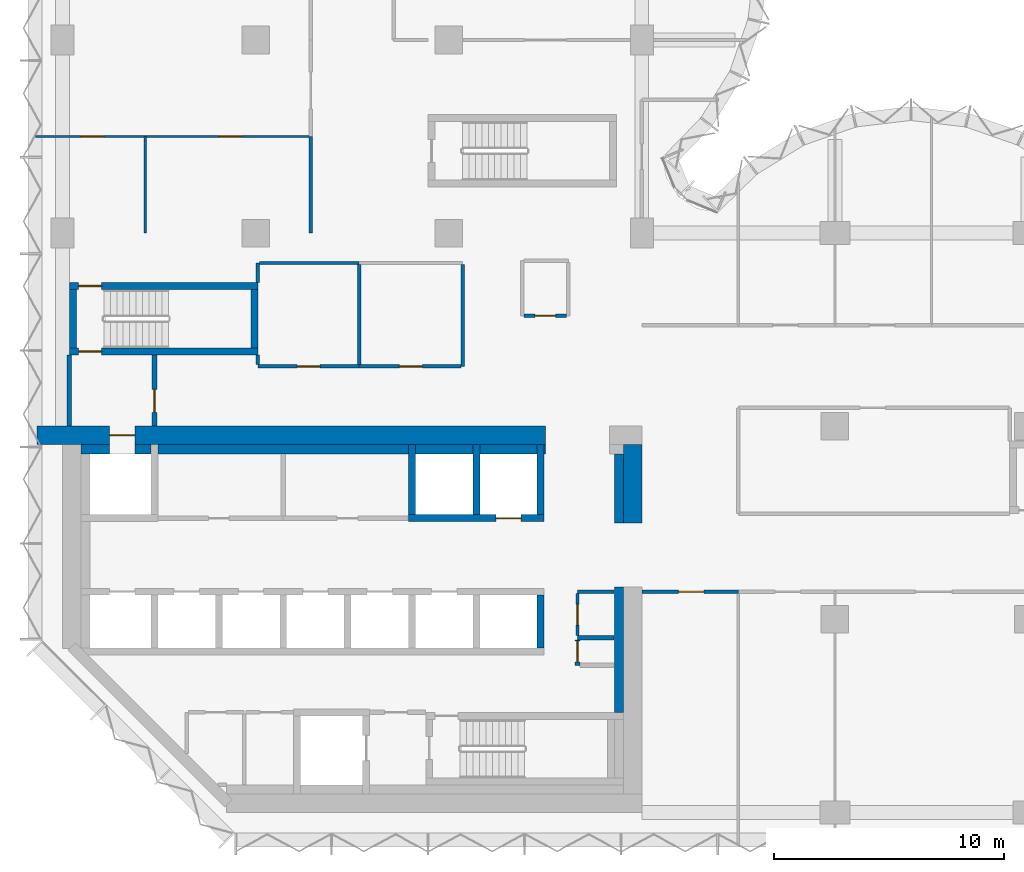
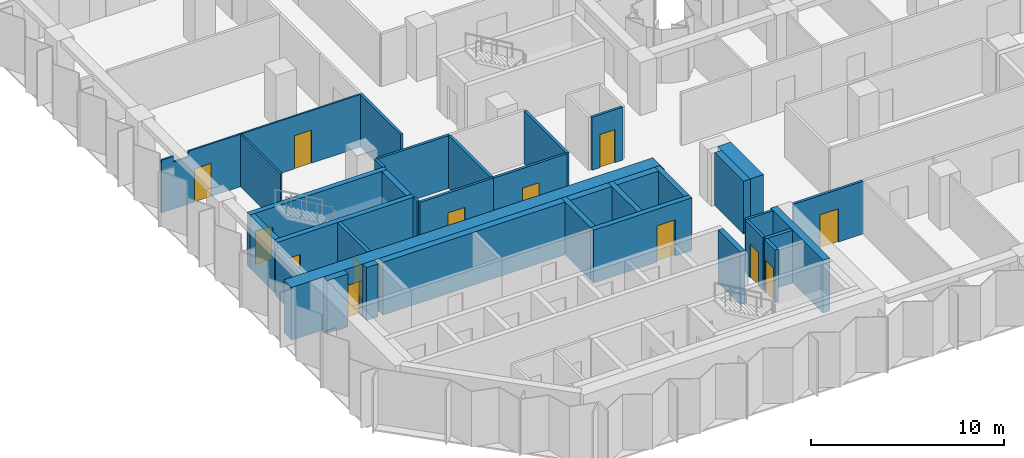
# One storey, part 8 of 13: 38 walls, 13 doors, 13 openings.
"""IFC4 building model written with IfcOpenShell, lengths in metres."""

from ifc_helpers import new_model, si_unit, direction, frame, frame_2d, origin, place, context, subcontext, project, spatial, polyline, rectangle, outline, extrude, material, layer, layer_set, type_object, element, fill, save


model = new_model("IFC4")

# Units and contexts
model_context = context("Model", 3, precision=1e-05, world=origin(), true_north=direction((0.0, 1.0)))
body_context = subcontext(model_context, "Body", "Model", "MODEL_VIEW")
ifc_project = project(units=[si_unit("LENGTHUNIT", "METRE"), si_unit("AREAUNIT", "SQUARE_METRE"), si_unit("VOLUMEUNIT", "CUBIC_METRE"), si_unit("PLANEANGLEUNIT", "RADIAN"), si_unit("MASSUNIT", "GRAM", prefix="KILO")], contexts=[model_context])

# Site, building, storey
site_placement = place(None, origin())
site = spatial("IfcSite", under=ifc_project, at=site_placement, CompositionType="ELEMENT")
building_placement = place(site_placement, origin())
building = spatial("IfcBuilding", under=site, at=building_placement, Name="Brevane Broadcast Tower", CompositionType="ELEMENT")
storey_placement = place(building_placement, frame((0.0, 0.0, 116.89990234375)))
storey = spatial("IfcBuildingStorey", under=building, at=storey_placement, Name="L28", CompositionType="ELEMENT", Elevation=116.89990234375)

# Walls
ifc_material_1 = material(Name="Concrete C32/40", Category="concrete")
ifc_layer_1 = layer(ifc_material_1, 0.39990234375)
ifc_layer_set_1 = layer_set([ifc_layer_1], Name="Core chase wall 400 mm")
wall_type_1 = type_object("IfcWallType", Name="Core chase wall 400 mm", PredefinedType="PARTITIONING", material=ifc_layer_set_1)
wall_1_placement = place(storey_placement, frame((24.199951171875, 12.60009765625, 0.0), z_axis=(0.0, 0.0, 1.0), x_axis=(0.0, 1.0, 0.0)))
element("IfcWall", 1, at=wall_1_placement, inside=storey, type_object=wall_type_1, Name="L28 chase wall LE2", PredefinedType="PARTITIONING", context=body_context, shape_type="SweptSolid", body=[
    extrude(rectangle(XDim=3.0, YDim=0.39990234375, at=frame_2d((1.5, 0.0))), origin(), (0.0, 0.0, 1.0), 3.35009765625),
])
wall_2_placement = place(storey_placement, frame((0.800048828125, 15.800048828125, 0.0), z_axis=(0.0, 0.0, 1.0), x_axis=(1.0, 0.0, 0.0)))
element("IfcWall", 2, at=wall_2_placement, inside=storey, type_object=wall_type_1, Name="L28 chase wall LN0", PredefinedType="PARTITIONING", context=body_context, shape_type="SweptSolid", body=[
    extrude(rectangle(XDim=1.25, YDim=0.39990234375, at=frame_2d((0.625, 0.0))), origin(), (0.0, 0.0, 1.0), 3.35009765625),
])
wall_3_placement = place(storey_placement, frame((3.14990234375, 15.800048828125, 0.0), z_axis=(0.0, 0.0, 1.0), x_axis=(1.0, 0.0, 0.0)))
element("IfcWall", 3, at=wall_3_placement, inside=storey, type_object=wall_type_1, Name="L28 chase wall LN1-1", PredefinedType="PARTITIONING", context=body_context, shape_type="SweptSolid", body=[
    extrude(rectangle(XDim=0.7001953125, YDim=0.39990234375, at=frame_2d((0.35009765625, 0.0))), origin(), (0.0, 0.0, 1.0), 3.35009765625),
])
wall_4_placement = place(storey_placement, frame((4.14990234375, 15.800048828125, 0.0), z_axis=(0.0, 0.0, 1.0), x_axis=(1.0, 0.0, 0.0)))
element("IfcWall", 4, at=wall_4_placement, inside=storey, type_object=wall_type_1, Name="L28 chase wall LN1-2-1", PredefinedType="PARTITIONING", context=body_context, shape_type="SweptSolid", body=[
    extrude(rectangle(XDim=10.900146484375, YDim=0.39990234375, at=frame_2d((5.4501953125, 0.0))), origin(), (0.0, 0.0, 1.0), 3.35009765625),
])
for number, where, z_axis, x_axis, name in (
    (5, (15.35009765625, 15.800048828125, 0.0), (0.0, 0.0, 1.0), (1.0, 0.0, 0.0), "L28 chase wall LN1-2-2-1"),
    (6, (18.14990234375, 15.800048828125, 0.0), (0.0, 0.0, 1.0), (1.0, 0.0, 0.0), "L28 chase wall LN1-2-2-2-1"),
):
    element("IfcWall", number, at=place(storey_placement, frame(where, z_axis=z_axis, x_axis=x_axis)), inside=storey, type_object=wall_type_1, Name=name, PredefinedType="PARTITIONING", context=body_context, shape_type="SweptSolid", body=[
        extrude(rectangle(XDim=2.5, YDim=0.39990234375, at=frame_2d((1.25, 0.0))), origin(), (0.0, 0.0, 1.0), 3.35009765625),
    ])
wall_5_placement = place(storey_placement, frame((20.949951171875, 15.800048828125, 0.0), z_axis=(0.0, 0.0, 1.0), x_axis=(1.0, 0.0, 0.0)))
element("IfcWall", 7, at=wall_5_placement, inside=storey, type_object=wall_type_1, Name="L28 chase wall LN1-2-2-2-2", PredefinedType="PARTITIONING", context=body_context, shape_type="SweptSolid", body=[
    extrude(rectangle(XDim=0.050048828125, YDim=0.39990234375, at=frame_2d((0.02490234375, 0.0))), origin(), (0.0, 0.0, 1.0), 3.35009765625),
])
wall_6_placement = place(storey_placement, frame((24.199951171875, 4.35009765625, 0.0), z_axis=(0.0, 0.0, 1.0), x_axis=(0.0, 1.0, 0.0)))
element("IfcWall", 8, at=wall_6_placement, inside=storey, type_object=wall_type_1, Name="L28 chase wall LE1-2-2", PredefinedType="PARTITIONING", context=body_context, shape_type="SweptSolid", body=[
    extrude(rectangle(XDim=5.449951171875, YDim=0.39990234375, at=frame_2d((2.72509765625, 0.0))), origin(), (0.0, 0.0, 1.0), 3.35009765625),
])

# Wall, opening, door
ifc_material_2 = material(Name="Gypsum board on steel studs", Category="steel")
ifc_layer_2 = layer(ifc_material_2, 0.14990234375)
ifc_layer_set_2 = layer_set([ifc_layer_2], Name="Core fire partition 150 mm")
wall_type_2 = type_object("IfcWallType", Name="Core fire partition 150 mm", PredefinedType="PARTITIONING", material=ifc_layer_set_2)
wall_7_placement = place(storey_placement, frame((12.89990234375, 19.39990234375, 0.0), z_axis=(0.0, 0.0, 1.0), x_axis=(-1.0, 0.0, 0.0)))
wall_7 = element("IfcWall", 9, at=wall_7_placement, inside=storey, type_object=wall_type_2, Name="L28 partition wall P15", PredefinedType="PARTITIONING", context=body_context, shape_type="SweptSolid", body=[
    extrude(rectangle(XDim=4.39990234375, YDim=0.14990234375, at=frame_2d((2.199951171875, 0.0))), origin(), (0.0, 0.0, 1.0), 3.35009765625),
])
opening_1_placement = place(wall_7_placement, frame((1.699951171875, 0.0, 0.0)))
opening_1 = element("IfcOpeningElement", 10, at=opening_1_placement, cuts=wall_7, Name="Opening L28-K25", PredefinedType="OPENING", context=body_context, shape_type="SweptSolid", body=[
    extrude(rectangle(XDim=1.0, YDim=2.10009765625, at=frame_2d((0.5, 1.050048828125))), frame((0.0, 0.0849609375, 0.0), z_axis=(0.0, -1.0, 0.0), x_axis=(1.0, 0.0, 0.0)), (0.0, 0.0, 1.0), 0.169921875),
])
ifc_material_3 = material(Name="Steel", Category="steel")
door_type_1 = type_object("IfcDoorType", Name="Service room door 1000 x 2100", OperationType="SINGLE_SWING_LEFT", PredefinedType="DOOR", material=ifc_material_3)
door_1_placement = place(opening_1_placement, origin())
door_1 = element("IfcDoor", 11, at=door_1_placement, inside=storey, type_object=door_type_1, Name="Door L28-K25", OperationType="SINGLE_SWING_LEFT", OverallHeight=2.10009765625, OverallWidth=1.0, PredefinedType="DOOR", context=body_context, shape_type="SweptSolid", body=[
    extrude(rectangle(XDim=1.0, YDim=2.10009765625, at=frame_2d((0.5, 1.050048828125))), frame((0.0, 0.02490234375, 0.0), z_axis=(0.0, -1.0, 0.0), x_axis=(1.0, 0.0, 0.0)), (0.0, 0.0, 1.0), 0.050048828125),
])
fill(opening_1, door_1)

# Walls
wall_8_placement = place(storey_placement, frame((8.5, 19.47509765625, 0.0), z_axis=(0.0, 0.0, 1.0), x_axis=(0.0, 1.0, 0.0)))
element("IfcWall", 12, at=wall_8_placement, inside=storey, type_object=wall_type_2, Name="L28 partition wall P16", PredefinedType="PARTITIONING", context=body_context, shape_type="SweptSolid", body=[
    extrude(rectangle(XDim=0.412841796875, YDim=0.14990234375, at=frame_2d((0.20654296875, 0.0))), origin(), (0.0, 0.0, 1.0), 3.35009765625),
])
wall_9_placement = place(storey_placement, frame((8.5, 23.06201171875, 0.0), z_axis=(0.0, 0.0, 1.0), x_axis=(0.0, 1.0, 0.0)))
element("IfcWall", 13, at=wall_9_placement, inside=storey, type_object=wall_type_2, Name="L28 partition wall P17", PredefinedType="PARTITIONING", context=body_context, shape_type="SweptSolid", body=[
    extrude(rectangle(XDim=0.837890625, YDim=0.14990234375, at=frame_2d((0.4189453125, 0.0))), origin(), (0.0, 0.0, 1.0), 3.35009765625),
])
wall_10_placement = place(storey_placement, frame((8.574951171875, 23.89990234375, 0.0), z_axis=(0.0, 0.0, 1.0), x_axis=(1.0, 0.0, 0.0)))
element("IfcWall", 14, at=wall_10_placement, inside=storey, type_object=wall_type_2, Name="L28 partition wall P18", PredefinedType="PARTITIONING", context=body_context, shape_type="SweptSolid", body=[
    extrude(rectangle(XDim=4.324951171875, YDim=0.14990234375, at=frame_2d((2.16259765625, 0.0))), origin(), (0.0, 0.0, 1.0), 3.35009765625),
])
wall_11_placement = place(storey_placement, frame((17.39990234375, 23.824951171875, 0.0), z_axis=(0.0, 0.0, 1.0), x_axis=(0.0, -1.0, 0.0)))
element("IfcWall", 15, at=wall_11_placement, inside=storey, type_object=wall_type_2, Name="L28 partition wall P20", PredefinedType="PARTITIONING", context=body_context, shape_type="SweptSolid", body=[
    extrude(rectangle(XDim=4.425048828125, YDim=0.14990234375, at=frame_2d((2.21240234375, 0.0))), origin(), (0.0, 0.0, 1.0), 3.35009765625),
])

# Wall, opening, door
wall_12_placement = place(storey_placement, frame((17.324951171875, 19.39990234375, 0.0), z_axis=(0.0, 0.0, 1.0), x_axis=(-1.0, 0.0, 0.0)))
wall_12 = element("IfcWall", 16, at=wall_12_placement, inside=storey, type_object=wall_type_2, Name="L28 partition wall P21", PredefinedType="PARTITIONING", context=body_context, shape_type="SweptSolid", body=[
    extrude(rectangle(XDim=4.425048828125, YDim=0.14990234375, at=frame_2d((2.21240234375, 0.0))), origin(), (0.0, 0.0, 1.0), 3.35009765625),
])
opening_2_placement = place(wall_12_placement, frame((1.675048828125, 0.0, 0.0)))
opening_2 = element("IfcOpeningElement", 17, at=opening_2_placement, cuts=wall_12, Name="Opening L28-K26", PredefinedType="OPENING", context=body_context, shape_type="SweptSolid", body=[
    extrude(rectangle(XDim=1.0, YDim=2.10009765625, at=frame_2d((0.5, 1.050048828125))), frame((0.0, 0.0849609375, 0.0), z_axis=(0.0, -1.0, 0.0), x_axis=(1.0, 0.0, 0.0)), (0.0, 0.0, 1.0), 0.169921875),
])
door_2_placement = place(opening_2_placement, origin())
door_2 = element("IfcDoor", 18, at=door_2_placement, inside=storey, type_object=door_type_1, Name="Door L28-K26", OperationType="SINGLE_SWING_RIGHT", OverallHeight=2.10009765625, OverallWidth=1.0, PredefinedType="DOOR", context=body_context, shape_type="SweptSolid", body=[
    extrude(rectangle(XDim=1.0, YDim=2.10009765625, at=frame_2d((0.5, 1.050048828125))), frame((0.0, 0.02490234375, 0.0), z_axis=(0.0, -1.0, 0.0), x_axis=(1.0, 0.0, 0.0)), (0.0, 0.0, 1.0), 0.050048828125),
])
fill(opening_2, door_2)

# Walls
wall_13_placement = place(storey_placement, frame((12.89990234375, 23.824951171875, 0.0), z_axis=(0.0, 0.0, 1.0), x_axis=(0.0, -1.0, 0.0)))
element("IfcWall", 19, at=wall_13_placement, inside=storey, type_object=wall_type_2, Name="L28 partition wall P22", PredefinedType="PARTITIONING", context=body_context, shape_type="SweptSolid", body=[
    extrude(rectangle(XDim=4.349853515625, YDim=0.14990234375, at=frame_2d((2.1748046875, 0.0))), origin(), (0.0, 0.0, 1.0), 3.35009765625),
])
wall_14_placement = place(storey_placement, frame((23.988037109375, 9.60009765625, 0.0), z_axis=(0.0, 0.0, 1.0), x_axis=(-1.0, 0.0, 0.0)))
element("IfcWall", 20, at=wall_14_placement, inside=storey, type_object=wall_type_2, Name="L28 partition wall P23", PredefinedType="PARTITIONING", context=body_context, shape_type="SweptSolid", body=[
    extrude(rectangle(XDim=1.588134765625, YDim=0.14990234375, at=frame_2d((0.7939453125, 0.0))), origin(), (0.0, 0.0, 1.0), 3.35009765625),
])

# Wall, opening, door
wall_15_placement = place(storey_placement, frame((22.39990234375, 9.52490234375, 0.0), z_axis=(0.0, 0.0, 1.0), x_axis=(0.0, -1.0, 0.0)))
wall_15 = element("IfcWall", 21, at=wall_15_placement, inside=storey, type_object=wall_type_2, Name="L28 partition wall P24", PredefinedType="PARTITIONING", context=body_context, shape_type="SweptSolid", body=[
    extrude(rectangle(XDim=1.824951171875, YDim=0.14990234375, at=frame_2d((0.91259765625, 0.0))), origin(), (0.0, 0.0, 1.0), 3.35009765625),
])
opening_3_placement = place(wall_15_placement, frame((0.47509765625, 0.0, 0.0)))
opening_3 = element("IfcOpeningElement", 22, at=opening_3_placement, cuts=wall_15, Name="Opening L28-K20", PredefinedType="OPENING", context=body_context, shape_type="SweptSolid", body=[
    extrude(rectangle(XDim=0.89990234375, YDim=2.10009765625, at=frame_2d((0.449951171875, 1.050048828125))), frame((0.0, 0.0849609375, 0.0), z_axis=(0.0, -1.0, 0.0), x_axis=(1.0, 0.0, 0.0)), (0.0, 0.0, 1.0), 0.169921875),
])
door_type_2 = type_object("IfcDoorType", Name="Service room door 900 x 2100", OperationType="SINGLE_SWING_LEFT", PredefinedType="DOOR", material=ifc_material_3)
door_3_placement = place(opening_3_placement, origin())
door_3 = element("IfcDoor", 23, at=door_3_placement, inside=storey, type_object=door_type_2, Name="Door L28-K20", OperationType="SINGLE_SWING_RIGHT", OverallHeight=2.10009765625, OverallWidth=0.89990234375, PredefinedType="DOOR", context=body_context, shape_type="SweptSolid", body=[
    extrude(rectangle(XDim=0.89990234375, YDim=2.10009765625, at=frame_2d((0.449951171875, 1.050048828125))), frame((0.0, 0.02490234375, 0.0), z_axis=(0.0, -1.0, 0.0), x_axis=(1.0, 0.0, 0.0)), (0.0, 0.0, 1.0), 0.050048828125),
])
fill(opening_3, door_3)

wall_16_placement = place(storey_placement, frame((21.925048828125, 21.60009765625, 0.0), z_axis=(0.0, 0.0, 1.0), x_axis=(-1.0, 0.0, 0.0)))
wall_16 = element("IfcWall", 24, at=wall_16_placement, inside=storey, type_object=wall_type_2, Name="L28 partition wall P28", PredefinedType="PARTITIONING", context=body_context, shape_type="SweptSolid", body=[
    extrude(rectangle(XDim=1.85009765625, YDim=0.14990234375, at=frame_2d((0.925048828125, 0.0))), origin(), (0.0, 0.0, 1.0), 3.35009765625),
])
opening_4_placement = place(wall_16_placement, frame((0.47509765625, 0.0, 0.0)))
opening_4 = element("IfcOpeningElement", 25, at=opening_4_placement, cuts=wall_16, Name="Opening L28-K24", PredefinedType="OPENING", context=body_context, shape_type="SweptSolid", body=[
    extrude(rectangle(XDim=0.89990234375, YDim=2.10009765625, at=frame_2d((0.449951171875, 1.050048828125))), frame((0.0, 0.0849609375, 0.0), z_axis=(0.0, -1.0, 0.0), x_axis=(1.0, 0.0, 0.0)), (0.0, 0.0, 1.0), 0.169921875),
])
ifc_material_4 = material(Name="Timber", Category="wood")
door_type_3 = type_object("IfcDoorType", Name="Toilet door 900 x 2100", OperationType="SINGLE_SWING_LEFT", PredefinedType="DOOR", material=ifc_material_4)
door_4_placement = place(opening_4_placement, origin())
door_4 = element("IfcDoor", 26, at=door_4_placement, inside=storey, type_object=door_type_3, Name="Door L28-K24", OperationType="SINGLE_SWING_RIGHT", OverallHeight=2.10009765625, OverallWidth=0.89990234375, PredefinedType="DOOR", context=body_context, shape_type="SweptSolid", body=[
    extrude(rectangle(XDim=0.89990234375, YDim=2.10009765625, at=frame_2d((0.449951171875, 1.050048828125))), frame((0.0, 0.02490234375, 0.0), z_axis=(0.0, -1.0, 0.0), x_axis=(1.0, 0.0, 0.0)), (0.0, 0.0, 1.0), 0.050048828125),
])
fill(opening_4, door_4)

# Wall
ifc_layer_3 = layer(ifc_material_2, 0.199951171875)
ifc_layer_set_3 = layer_set([ifc_layer_3], Name="Core fire partition 200 mm")
wall_type_3 = type_object("IfcWallType", Name="Core fire partition 200 mm", PredefinedType="PARTITIONING", material=ifc_layer_set_3)
wall_17_placement = place(storey_placement, frame((0.300048828125, 16.81201171875, 0.0), z_axis=(0.0, 0.0, 1.0), x_axis=(0.0, 1.0, 0.0)))
element("IfcWall", 27, at=wall_17_placement, inside=storey, type_object=wall_type_3, Name="L28 partition wall P01", PredefinedType="PARTITIONING", context=body_context, shape_type="SweptSolid", body=[
    extrude(rectangle(XDim=3.075927734375, YDim=0.199951171875, at=frame_2d((1.5380859375, 0.0))), origin(), (0.0, 0.0, 1.0), 2.97998046875),
])

# Wall, opening, door
wall_18_placement = place(storey_placement, frame((4.0, 19.887939453125, 0.0), z_axis=(0.0, 0.0, 1.0), x_axis=(0.0, -1.0, 0.0)))
wall_18 = element("IfcWall", 28, at=wall_18_placement, inside=storey, type_object=wall_type_3, Name="L28 partition wall P02", PredefinedType="PARTITIONING", context=body_context, shape_type="SweptSolid", body=[
    extrude(rectangle(XDim=3.075927734375, YDim=0.199951171875, at=frame_2d((1.5380859375, 0.0))), origin(), (0.0, 0.0, 1.0), 3.35009765625),
])
opening_5_placement = place(wall_18_placement, frame((1.488037109375, 0.0, 0.0)))
opening_5 = element("IfcOpeningElement", 29, at=opening_5_placement, cuts=wall_18, Name="Opening L28-K23", PredefinedType="OPENING", context=body_context, shape_type="SweptSolid", body=[
    extrude(rectangle(XDim=1.0, YDim=2.10009765625, at=frame_2d((0.5, 1.050048828125))), frame((0.0, 0.10986328125, 0.0), z_axis=(0.0, -1.0, 0.0), x_axis=(1.0, 0.0, 0.0)), (0.0, 0.0, 1.0), 0.219970703125),
])
door_type_4 = type_object("IfcDoorType", Name="Stair door 1000 x 2100", OperationType="SINGLE_SWING_LEFT", PredefinedType="DOOR", material=ifc_material_3)
door_5_placement = place(opening_5_placement, origin())
door_5 = element("IfcDoor", 30, at=door_5_placement, inside=storey, type_object=door_type_4, Name="Door L28-K23", OperationType="SINGLE_SWING_LEFT", OverallHeight=2.10009765625, OverallWidth=1.0, PredefinedType="DOOR", context=body_context, shape_type="SweptSolid", body=[
    extrude(rectangle(XDim=1.0, YDim=2.10009765625, at=frame_2d((0.5, 1.050048828125))), frame((0.0, 0.02490234375, 0.0), z_axis=(0.0, -1.0, 0.0), x_axis=(1.0, 0.0, 0.0)), (0.0, 0.0, 1.0), 0.050048828125),
])
fill(opening_5, door_5)

# Wall
wall_19_placement = place(storey_placement, frame((23.988037109375, 7.60009765625, 0.0), z_axis=(0.0, 0.0, 1.0), x_axis=(-1.0, 0.0, 0.0)))
element("IfcWall", 31, at=wall_19_placement, inside=storey, type_object=wall_type_3, Name="L28 partition wall P07", PredefinedType="PARTITIONING", context=body_context, shape_type="SweptSolid", body=[
    extrude(rectangle(XDim=1.588134765625, YDim=0.199951171875, at=frame_2d((0.7939453125, 0.0))), origin(), (0.0, 0.0, 1.0), 3.35009765625),
])

# Wall, opening, door
wall_20_placement = place(storey_placement, frame((22.39990234375, 7.5, 0.0), z_axis=(0.0, 0.0, 1.0), x_axis=(0.0, -1.0, 0.0)))
wall_20 = element("IfcWall", 32, at=wall_20_placement, inside=storey, type_object=wall_type_3, Name="L28 partition wall P08", PredefinedType="PARTITIONING", context=body_context, shape_type="SweptSolid", body=[
    extrude(rectangle(XDim=1.10009765625, YDim=0.199951171875, at=frame_2d((0.550048828125, 0.0))), origin(), (0.0, 0.0, 1.0), 3.35009765625),
])
opening_6_placement = place(wall_20_placement, frame((0.050048828125, 0.0, 0.0)))
opening_6 = element("IfcOpeningElement", 33, at=opening_6_placement, cuts=wall_20, Name="Opening L28-K19", PredefinedType="OPENING", context=body_context, shape_type="SweptSolid", body=[
    extrude(rectangle(XDim=0.89990234375, YDim=2.10009765625, at=frame_2d((0.449951171875, 1.050048828125))), frame((0.0, 0.10986328125, 0.0), z_axis=(0.0, -1.0, 0.0), x_axis=(1.0, 0.0, 0.0)), (0.0, 0.0, 1.0), 0.219970703125),
])
door_6_placement = place(opening_6_placement, origin())
door_6 = element("IfcDoor", 34, at=door_6_placement, inside=storey, type_object=door_type_2, Name="Door L28-K19", OperationType="SINGLE_SWING_LEFT", OverallHeight=2.10009765625, OverallWidth=0.89990234375, PredefinedType="DOOR", context=body_context, shape_type="SweptSolid", body=[
    extrude(rectangle(XDim=0.89990234375, YDim=2.10009765625, at=frame_2d((0.449951171875, 1.050048828125))), frame((0.0, 0.02490234375, 0.0), z_axis=(0.0, -1.0, 0.0), x_axis=(1.0, 0.0, 0.0)), (0.0, 0.0, 1.0), 0.050048828125),
])
fill(opening_6, door_6)

# Wall
ifc_material_5 = material(Name="Concrete C60/75", Category="concrete")
ifc_layer_4 = layer(ifc_material_5, 0.300048828125)
ifc_layer_set_4 = layer_set([ifc_layer_4], Name="Core wall 300 mm C60/75")
wall_type_4 = type_object("IfcWallType", Name="Core wall 300 mm C60/75", PredefinedType="SHEAR", material=ifc_layer_set_4)
wall_21_placement = place(storey_placement, frame((20.800048828125, 7.14990234375, 0.0), z_axis=(0.0, 0.0, 1.0), x_axis=(0.0, 1.0, 0.0)))
element("IfcWall", 35, at=wall_21_placement, inside=storey, type_object=wall_type_4, Name="L28 shaft wall SH-S-P208", PredefinedType="SHEAR", context=body_context, shape_type="SweptSolid", body=[
    extrude(rectangle(XDim=2.300048828125, YDim=0.300048828125, at=frame_2d((1.14990234375, 0.0))), origin(), (0.0, 0.0, 1.0), 3.35009765625),
])

# Wall, opening, door
wall_22_placement = place(storey_placement, frame((15.050048828125, 12.800048828125, 0.0), z_axis=(0.0, 0.0, 1.0), x_axis=(1.0, 0.0, 0.0)))
wall_22 = element("IfcWall", 36, at=wall_22_placement, inside=storey, type_object=wall_type_4, Name="L28 shaft wall SH-N152-front", PredefinedType="SHEAR", context=body_context, shape_type="SweptSolid", body=[
    extrude(rectangle(XDim=5.89990234375, YDim=0.300048828125, at=frame_2d((2.949951171875, 0.0))), origin(), (0.0, 0.0, 1.0), 3.35009765625),
])
opening_7_placement = place(wall_22_placement, frame((3.800048828125, 0.0, 0.0)))
opening_7 = element("IfcOpeningElement", 37, at=opening_7_placement, cuts=wall_22, Name="Opening LD", PredefinedType="OPENING", context=body_context, shape_type="SweptSolid", body=[
    extrude(rectangle(XDim=1.10009765625, YDim=2.300048828125, at=frame_2d((0.550048828125, 1.14990234375))), frame((0.0, 0.159912109375, 0.0), z_axis=(0.0, -1.0, 0.0), x_axis=(1.0, 0.0, 0.0)), (0.0, 0.0, 1.0), 0.320068359375),
])
ifc_material_6 = material(Name="Stainless steel", Category="steel")
door_type_5 = type_object("IfcDoorType", Name="Lift landing door", OperationType="SLIDING_TO_LEFT", PredefinedType="DOOR", material=ifc_material_6)
door_7_placement = place(opening_7_placement, origin())
door_7 = element("IfcDoor", 38, at=door_7_placement, inside=storey, type_object=door_type_5, Name="Landing door SL1 L28", OperationType="SLIDING_TO_LEFT", OverallHeight=2.300048828125, OverallWidth=1.10009765625, PredefinedType="DOOR", context=body_context, shape_type="SweptSolid", body=[
    extrude(rectangle(XDim=1.10009765625, YDim=2.300048828125, at=frame_2d((0.550048828125, 1.14990234375))), frame((0.0, 0.02490234375, 0.0), z_axis=(0.0, -1.0, 0.0), x_axis=(1.0, 0.0, 0.0)), (0.0, 0.0, 1.0), 0.050048828125),
])
fill(opening_7, door_7)

# Walls
for number, where, z_axis, x_axis, name in (
    (39, (15.199951171875, 12.949951171875, 0.0), (0.0, 0.0, 1.0), (0.0, 1.0, 0.0), "L28 shaft wall SH-N-P152"),
    (40, (18.0, 12.949951171875, 0.0), (0.0, 0.0, 1.0), (0.0, 1.0, 0.0), "L28 shaft wall SH-N-P180"),
    (41, (20.800048828125, 12.949951171875, 0.0), (0.0, 0.0, 1.0), (0.0, 1.0, 0.0), "L28 shaft wall SH-N-P208"),
):
    element("IfcWall", number, at=place(storey_placement, frame(where, z_axis=z_axis, x_axis=x_axis)), inside=storey, type_object=wall_type_4, Name=name, PredefinedType="SHEAR", context=body_context, shape_type="SweptSolid", body=[
        extrude(rectangle(XDim=3.050048828125, YDim=0.300048828125, at=frame_2d((1.52490234375, 0.0))), origin(), (0.0, 0.0, 1.0), 3.35009765625),
    ])

# Wall, opening, door
wall_23_placement = place(storey_placement, frame((8.5, 20.050048828125, 0.0), z_axis=(0.0, 0.0, 1.0), x_axis=(-1.0, 0.0, 0.0)))
wall_23 = element("IfcWall", 42, at=wall_23_placement, inside=storey, type_object=wall_type_4, Name="L28 stair wall ST-1-S", PredefinedType="SHEAR", context=body_context, shape_type="SweptSolid", body=[
    extrude(rectangle(XDim=8.199951171875, YDim=0.300048828125, at=frame_2d((4.10009765625, 0.0))), origin(), (0.0, 0.0, 1.0), 3.35009765625),
])
opening_8_placement = place(wall_23_placement, frame((6.800048828125, 0.0, 0.0)))
opening_8 = element("IfcOpeningElement", 43, at=opening_8_placement, cuts=wall_23, Name="Opening L28-K10", PredefinedType="OPENING", context=body_context, shape_type="SweptSolid", body=[
    extrude(rectangle(XDim=1.0, YDim=2.10009765625, at=frame_2d((0.5, 1.050048828125))), frame((0.0, 0.159912109375, 0.0), z_axis=(0.0, -1.0, 0.0), x_axis=(1.0, 0.0, 0.0)), (0.0, 0.0, 1.0), 0.320068359375),
])
door_8_placement = place(opening_8_placement, origin())
door_8 = element("IfcDoor", 44, at=door_8_placement, inside=storey, type_object=door_type_4, Name="Door L28-K10", OperationType="SINGLE_SWING_RIGHT", OverallHeight=2.10009765625, OverallWidth=1.0, PredefinedType="DOOR", context=body_context, shape_type="SweptSolid", body=[
    extrude(rectangle(XDim=1.0, YDim=2.10009765625, at=frame_2d((0.5, 1.050048828125))), frame((0.0, 0.02490234375, 0.0), z_axis=(0.0, -1.0, 0.0), x_axis=(1.0, 0.0, 0.0)), (0.0, 0.0, 1.0), 0.050048828125),
])
fill(opening_8, door_8)

wall_24_placement = place(storey_placement, frame((0.300048828125, 22.89990234375, 0.0), z_axis=(0.0, 0.0, 1.0), x_axis=(1.0, 0.0, 0.0)))
wall_24 = element("IfcWall", 45, at=wall_24_placement, inside=storey, type_object=wall_type_4, Name="L28 stair wall ST-1-N", PredefinedType="SHEAR", context=body_context, shape_type="SweptSolid", body=[
    extrude(rectangle(XDim=8.199951171875, YDim=0.300048828125, at=frame_2d((4.10009765625, 0.0))), origin(), (0.0, 0.0, 1.0), 3.35009765625),
])
opening_9_placement = place(wall_24_placement, frame((0.39990234375, 0.0, 0.0)))
opening_9 = element("IfcOpeningElement", 46, at=opening_9_placement, cuts=wall_24, Name="Opening L28-K11", PredefinedType="OPENING", context=body_context, shape_type="SweptSolid", body=[
    extrude(rectangle(XDim=1.0, YDim=2.10009765625, at=frame_2d((0.5, 1.050048828125))), frame((0.0, 0.159912109375, 0.0), z_axis=(0.0, -1.0, 0.0), x_axis=(1.0, 0.0, 0.0)), (0.0, 0.0, 1.0), 0.320068359375),
])
door_9_placement = place(opening_9_placement, origin())
door_9 = element("IfcDoor", 47, at=door_9_placement, inside=storey, type_object=door_type_4, Name="Door L28-K11", OperationType="SINGLE_SWING_LEFT", OverallHeight=2.10009765625, OverallWidth=1.0, PredefinedType="DOOR", context=body_context, shape_type="SweptSolid", body=[
    extrude(rectangle(XDim=1.0, YDim=2.10009765625, at=frame_2d((0.5, 1.050048828125))), frame((0.0, 0.02490234375, 0.0), z_axis=(0.0, -1.0, 0.0), x_axis=(1.0, 0.0, 0.0)), (0.0, 0.0, 1.0), 0.050048828125),
])
fill(opening_9, door_9)

# Walls
for number, where, z_axis, x_axis, name in (
    (48, (0.449951171875, 20.199951171875, 0.0), (0.0, 0.0, 1.0), (0.0, 1.0, 0.0), "L28 stair wall ST-1-W"),
    (49, (8.35009765625, 20.199951171875, 0.0), (0.0, 0.0, 1.0), (0.0, 1.0, 0.0), "L28 stair wall ST-1-E"),
):
    element("IfcWall", number, at=place(storey_placement, frame(where, z_axis=z_axis, x_axis=x_axis)), inside=storey, type_object=wall_type_4, Name=name, PredefinedType="SHEAR", context=body_context, shape_type="SweptSolid", body=[
        extrude(rectangle(XDim=2.550048828125, YDim=0.300048828125, at=frame_2d((1.27490234375, 0.0))), origin(), (0.0, 0.0, 1.0), 3.35009765625),
    ])

# Wall, opening, door
ifc_layer_5 = layer(ifc_material_5, 0.800048828125)
ifc_layer_set_5 = layer_set([ifc_layer_5], Name="Core wall 800 mm C60/75")
wall_type_5 = type_object("IfcWallType", Name="Core wall 800 mm C60/75", PredefinedType="SHEAR", material=ifc_layer_set_5)
wall_25_placement = place(storey_placement, frame((-1.10009765625, 16.39990234375, 0.0), z_axis=(0.0, 0.0, 1.0), x_axis=(1.0, 0.0, 0.0)))
wall_25 = element("IfcWall", 50, at=wall_25_placement, inside=storey, type_object=wall_type_5, Name="L28 outer wall WN1", PredefinedType="SHEAR", context=body_context, shape_type="SweptSolid", body=[
    extrude(rectangle(XDim=22.10009765625, YDim=0.800048828125, at=frame_2d((11.050048828125, 0.0))), origin(), (0.0, 0.0, 1.0), 3.35009765625),
])
opening_10_placement = place(wall_25_placement, frame((3.14990234375, 0.0, 0.0)))
opening_10 = element("IfcOpeningElement", 51, at=opening_10_placement, cuts=wall_25, Name="Opening LD", PredefinedType="OPENING", context=body_context, shape_type="SweptSolid", body=[
    extrude(rectangle(XDim=1.10009765625, YDim=2.300048828125, at=frame_2d((0.550048828125, 1.14990234375))), frame((0.0, 0.409912109375, 0.0), z_axis=(0.0, -1.0, 0.0), x_axis=(1.0, 0.0, 0.0)), (0.0, 0.0, 1.0), 0.820068359375),
])
door_10_placement = place(opening_10_placement, origin())
door_10 = element("IfcDoor", 52, at=door_10_placement, inside=storey, type_object=door_type_5, Name="Landing door FF1 L28", OperationType="SLIDING_TO_LEFT", OverallHeight=2.300048828125, OverallWidth=1.10009765625, PredefinedType="DOOR", context=body_context, shape_type="SweptSolid", body=[
    extrude(rectangle(XDim=1.10009765625, YDim=2.300048828125, at=frame_2d((0.550048828125, 1.14990234375))), frame((0.0, 0.02490234375, 0.0), z_axis=(0.0, -1.0, 0.0), x_axis=(1.0, 0.0, 0.0)), (0.0, 0.0, 1.0), 0.050048828125),
])
fill(opening_10, door_10)

# Wall
wall_26_placement = place(storey_placement, frame((24.800048828125, 12.60009765625, 0.0), z_axis=(0.0, 0.0, 1.0), x_axis=(0.0, 1.0, 0.0)))
element("IfcWall", 53, at=wall_26_placement, inside=storey, type_object=wall_type_5, Name="L28 outer wall WE2", PredefinedType="SHEAR", context=body_context, shape_type="SweptSolid", body=[
    extrude(rectangle(XDim=3.39990234375, YDim=0.800048828125, at=frame_2d((1.699951171875, 0.0))), origin(), (0.0, 0.0, 1.0), 3.35009765625),
])

# Wall, opening, door
ifc_material_7 = material(Name="Gypsum board partition")
ifc_layer_6 = layer(ifc_material_7, 0.10009765625)
ifc_layer_set_6 = layer_set([ifc_layer_6], Name="PARTITION 100 STUD")
wall_type_6 = type_object("IfcWallType", Name="PARTITION 100 STUD", PredefinedType="PARTITIONING", material=ifc_layer_set_6)
wall_27_placement = place(storey_placement, frame((3.60009765625, 29.39990234375, 0.0), z_axis=(0.0, 0.0, 1.0), x_axis=(-1.0, 0.0, 0.0)))
wall_27 = element("IfcWall", 54, at=wall_27_placement, inside=storey, type_object=wall_type_6, Name="Partition G08-059", PredefinedType="PARTITIONING", context=body_context, shape_type="SweptSolid", body=[
    extrude(outline(polyline([(0.0, 0.0), (4.774169921875, 0.0), (4.77392578125, 3.330078125), (4.699951171875, 3.330078125), (4.050048828125, 3.330078125), (4.048095703125, 2.97998046875), (3.152099609375, 2.97998046875), (3.14990234375, 3.330078125), (0.0, 3.330078125), (0.0, 0.0)])), frame((0.0, 0.050048828125, 0.0), z_axis=(0.0, -1.0, 0.0), x_axis=(1.0, 0.0, 0.0)), (0.0, 0.0, 1.0), 0.10009765625),
])
opening_11_placement = place(wall_27_placement, frame((1.800048828125, 0.0, 0.0)))
opening_11 = element("IfcOpeningElement", 55, at=opening_11_placement, cuts=wall_27, Name="Opening D15-015", PredefinedType="OPENING", context=body_context, shape_type="SweptSolid", body=[
    extrude(rectangle(XDim=1.0, YDim=2.10009765625, at=frame_2d((0.5, 1.050048828125))), frame((0.0, 0.06005859375, 0.0), z_axis=(0.0, -1.0, 0.0), x_axis=(1.0, 0.0, 0.0)), (0.0, 0.0, 1.0), 0.1201171875),
])
ifc_material_8 = material(Name="Timber door leaf", Category="wood")
door_type_6 = type_object("IfcDoorType", Name="DOOR SINGLE 1000 INTERNAL", OperationType="SINGLE_SWING_LEFT", PredefinedType="DOOR", material=ifc_material_8)
door_11_placement = place(opening_11_placement, origin())
door_11 = element("IfcDoor", 56, at=door_11_placement, inside=storey, type_object=door_type_6, Name="Door D15-015", OperationType="SINGLE_SWING_LEFT", OverallHeight=2.10009765625, OverallWidth=1.0, PredefinedType="DOOR", context=body_context, shape_type="SweptSolid", body=[
    extrude(rectangle(XDim=1.0, YDim=2.10009765625, at=frame_2d((0.5, 1.050048828125))), frame((0.0, 0.02490234375, 0.0), z_axis=(0.0, -1.0, 0.0), x_axis=(1.0, 0.0, 0.0)), (0.0, 0.0, 1.0), 0.050048828125),
])
fill(opening_11, door_11)

wall_28_placement = place(storey_placement, frame((10.800048828125, 29.39990234375, 0.0), z_axis=(0.0, 0.0, 1.0), x_axis=(-1.0, 0.0, 0.0)))
wall_28 = element("IfcWall", 57, at=wall_28_placement, inside=storey, type_object=wall_type_6, Name="Partition G08-060", PredefinedType="PARTITIONING", context=body_context, shape_type="SweptSolid", body=[
    extrude(rectangle(XDim=7.199951171875, YDim=0.10009765625, at=frame_2d((3.60009765625, 0.0))), origin(), (0.0, 0.0, 1.0), 3.330078125),
])
opening_12_placement = place(wall_28_placement, frame((3.0, 0.0, 0.0)))
opening_12 = element("IfcOpeningElement", 58, at=opening_12_placement, cuts=wall_28, Name="Opening D15-016", PredefinedType="OPENING", context=body_context, shape_type="SweptSolid", body=[
    extrude(rectangle(XDim=1.0, YDim=2.10009765625, at=frame_2d((0.5, 1.050048828125))), frame((0.0, 0.06005859375, 0.0), z_axis=(0.0, -1.0, 0.0), x_axis=(1.0, 0.0, 0.0)), (0.0, 0.0, 1.0), 0.1201171875),
])
door_12_placement = place(opening_12_placement, origin())
door_12 = element("IfcDoor", 59, at=door_12_placement, inside=storey, type_object=door_type_6, Name="Door D15-016", OperationType="SINGLE_SWING_LEFT", OverallHeight=2.10009765625, OverallWidth=1.0, PredefinedType="DOOR", context=body_context, shape_type="SweptSolid", body=[
    extrude(rectangle(XDim=1.0, YDim=2.10009765625, at=frame_2d((0.5, 1.050048828125))), frame((0.0, 0.02490234375, 0.0), z_axis=(0.0, -1.0, 0.0), x_axis=(1.0, 0.0, 0.0)), (0.0, 0.0, 1.0), 0.050048828125),
])
fill(opening_12, door_12)

# Wall
wall_29_placement = place(storey_placement, frame((3.60009765625, 29.39990234375, 0.0), z_axis=(0.0, 0.0, 1.0), x_axis=(0.0, -1.0, 0.0)))
element("IfcWall", 60, at=wall_29_placement, inside=storey, type_object=wall_type_6, Name="Partition G08-062", PredefinedType="PARTITIONING", context=body_context, shape_type="SweptSolid", body=[
    extrude(rectangle(XDim=4.199951171875, YDim=0.10009765625, at=frame_2d((2.10009765625, 0.0))), origin(), (0.0, 0.0, 1.0), 3.330078125),
])

# Wall, opening, door
ifc_layer_7 = layer(ifc_material_7, 0.14990234375)
ifc_layer_set_7 = layer_set([ifc_layer_7], Name="PARTITION 150 EI 60")
wall_type_7 = type_object("IfcWallType", Name="PARTITION 150 EI 60", PredefinedType="PARTITIONING", material=ifc_layer_set_7)
wall_30_placement = place(storey_placement, frame((29.39990234375, 9.60009765625, 0.0), z_axis=(0.0, 0.0, 1.0), x_axis=(-1.0, 0.0, 0.0)))
wall_30 = element("IfcWall", 61, at=wall_30_placement, inside=storey, type_object=wall_type_7, Name="Partition G08-003", PredefinedType="PARTITIONING", context=body_context, shape_type="SweptSolid", body=[
    extrude(rectangle(XDim=4.199951171875, YDim=0.14990234375, at=frame_2d((2.10009765625, 0.0))), origin(), (0.0, 0.0, 1.0), 3.330078125),
])
opening_13_placement = place(wall_30_placement, frame((1.5, 0.0, 0.0)))
opening_13 = element("IfcOpeningElement", 62, at=opening_13_placement, cuts=wall_30, Name="Opening D15-005", PredefinedType="OPENING", context=body_context, shape_type="SweptSolid", body=[
    extrude(rectangle(XDim=1.10009765625, YDim=2.10009765625, at=frame_2d((0.550048828125, 1.050048828125))), frame((0.0, 0.0849609375, 0.0), z_axis=(0.0, -1.0, 0.0), x_axis=(1.0, 0.0, 0.0)), (0.0, 0.0, 1.0), 0.169921875),
])
ifc_material_9 = material(Name="Fire-rated timber door leaf", Category="wood")
door_type_7 = type_object("IfcDoorType", Name="DOOR SINGLE 1100 FD30S", OperationType="SINGLE_SWING_LEFT", PredefinedType="DOOR", material=ifc_material_9)
door_13_placement = place(opening_13_placement, origin())
door_13 = element("IfcDoor", 63, at=door_13_placement, inside=storey, type_object=door_type_7, Name="Door D15-005", OperationType="SINGLE_SWING_LEFT", OverallHeight=2.10009765625, OverallWidth=1.10009765625, PredefinedType="DOOR", context=body_context, shape_type="SweptSolid", body=[
    extrude(rectangle(XDim=1.10009765625, YDim=2.10009765625, at=frame_2d((0.550048828125, 1.050048828125))), frame((0.0, 0.02490234375, 0.0), z_axis=(0.0, -1.0, 0.0), x_axis=(1.0, 0.0, 0.0)), (0.0, 0.0, 1.0), 0.050048828125),
])
fill(opening_13, door_13)

# Wall
wall_31_placement = place(storey_placement, frame((10.800048828125, 25.199951171875, 0.0), z_axis=(0.0, 0.0, 1.0), x_axis=(0.0, 1.0, 0.0)))
element("IfcWall", 64, at=wall_31_placement, inside=storey, type_object=wall_type_7, Name="Partition G08-040", PredefinedType="PARTITIONING", context=body_context, shape_type="SweptSolid", body=[
    extrude(rectangle(XDim=4.199951171875, YDim=0.14990234375, at=frame_2d((2.10009765625, 0.0))), origin(), (0.0, 0.0, 1.0), 3.330078125),
])

save(model, "model.ifc")
